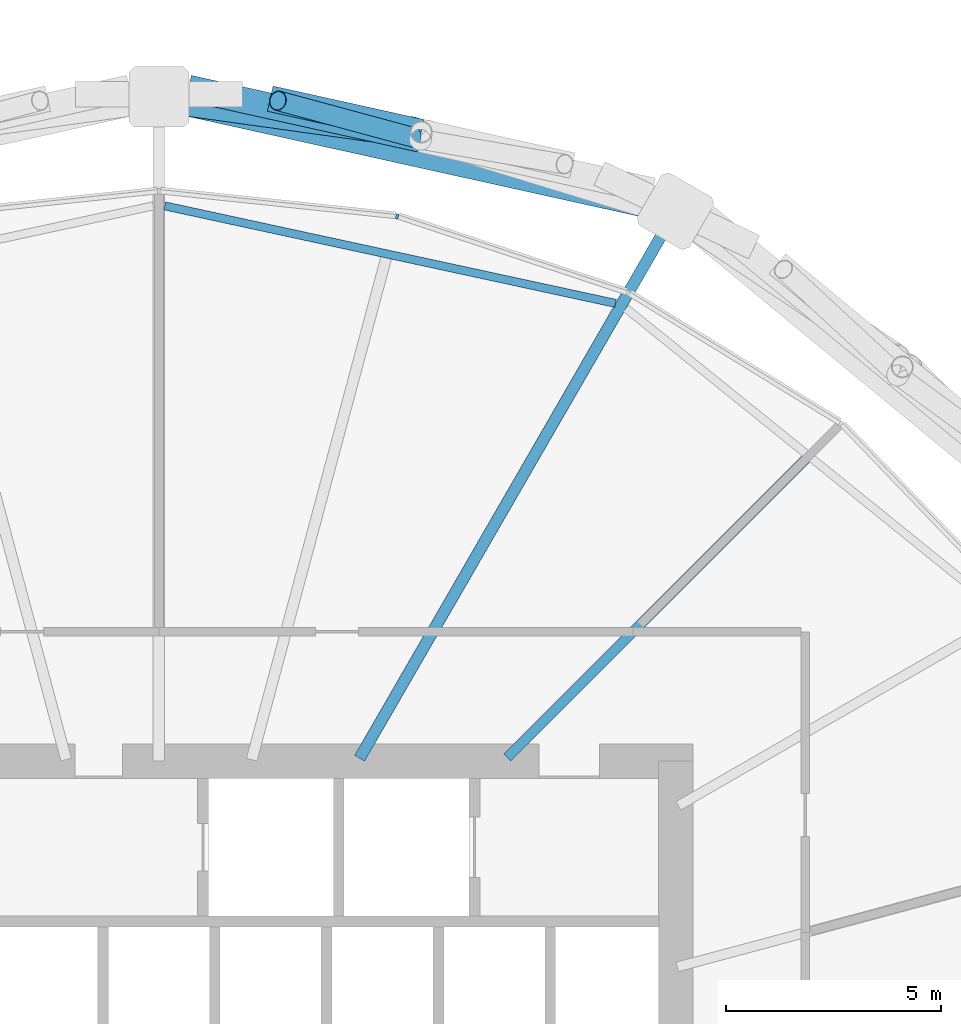
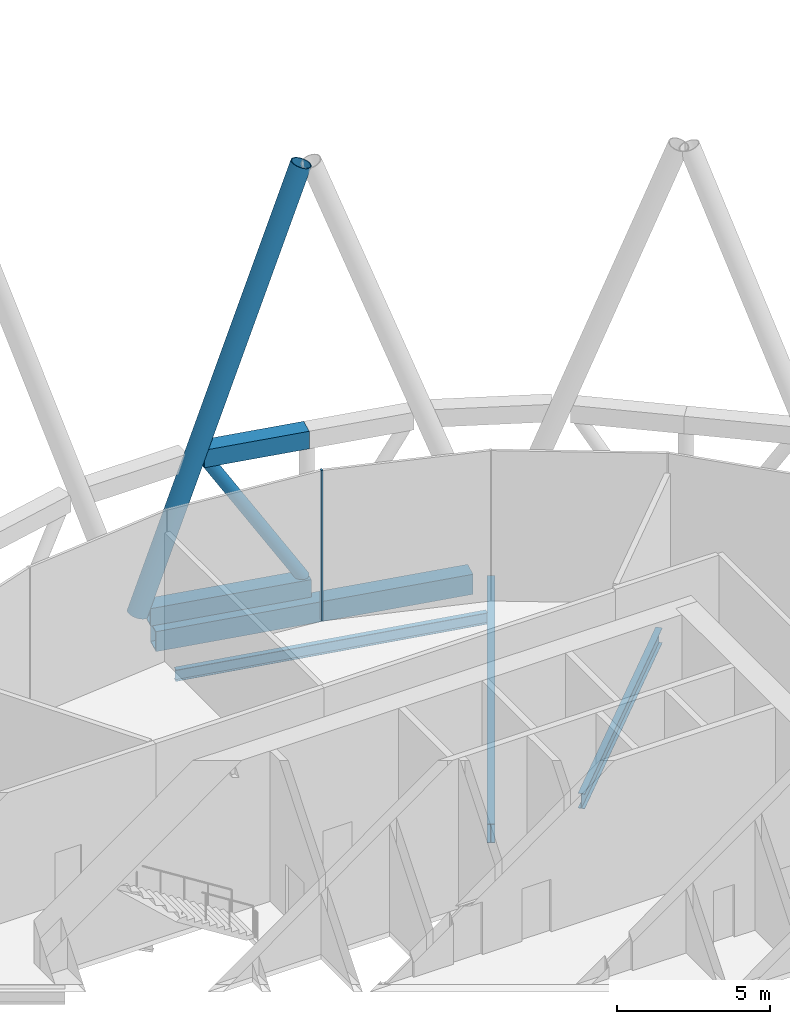
# One storey, part 13 of 33: 5 members, 4 beams, 1 element without a shape of its own.
"""IFC4 building model written with IfcOpenShell, lengths in metres."""

from ifc_helpers import new_model, si_unit, direction, frame, origin, origin_2d, place, context, subcontext, project, spatial, rectangle, hollow_rectangle, hollow_circle, i_section, extrude, material, material_profile, profile_set, type_object, element, aggregate, save


model = new_model("IFC4")

# Units and contexts
model_context = context("Model", 3, precision=1e-05, world=origin(), true_north=direction((0.0, 1.0)))
body_context = subcontext(model_context, "Body", "Model", "MODEL_VIEW")
ifc_project = project(units=[si_unit("LENGTHUNIT", "METRE"), si_unit("AREAUNIT", "SQUARE_METRE"), si_unit("VOLUMEUNIT", "CUBIC_METRE"), si_unit("PLANEANGLEUNIT", "RADIAN"), si_unit("MASSUNIT", "GRAM", prefix="KILO")], contexts=[model_context])

# Site, building, storey
site_placement = place(None, origin())
site = spatial("IfcSite", under=ifc_project, at=site_placement, CompositionType="ELEMENT")
building_placement = place(site_placement, origin())
building = spatial("IfcBuilding", under=site, at=building_placement, Name="Rimbun Link Towers", CompositionType="ELEMENT")
storey_placement = place(building_placement, frame((0.0, 0.0, 75.60009765625)))
storey = spatial("IfcBuildingStorey", under=building, at=storey_placement, Name="L18", CompositionType="ELEMENT", Elevation=75.60009765625)

# Members
ifc_material_1 = material(Name="Steel S460N", Category="steel")
ifc_material_profile_1 = material_profile(ifc_material_1, hollow_rectangle(XDim=0.60009765625, YDim=0.699951171875, WallThickness=0.034912109375, at=origin_2d()), Name="Belt truss chord BOX 600x700x35")
ifc_profile_set_1 = profile_set([ifc_material_profile_1], Name="Steel S460N")
member_type_1 = type_object("IfcMemberType", Name="Belt truss chord BOX 600x700x35", PredefinedType="CHORD", material=ifc_profile_set_1)
member_1_placement = place(storey_placement, frame((-25.680908203125, 22.4306640625, 0.18994140625), z_axis=(-0.976355546465, 0.216170874279, 0.0), x_axis=(-0.216170874279, -0.976355546465, 0.0)))
element("IfcMember", 1, at=member_1_placement, inside=storey, type_object=member_type_1, Name="Belt truss chord T1 L18 bottom 05", PredefinedType="CHORD", context=body_context, shape_type="SweptSolid", body=[
    extrude(hollow_rectangle(XDim=0.60009765625, YDim=0.699951171875, WallThickness=0.034912109375, at=origin_2d()), origin(), (0.0, 0.0, 1.0), 5.513671875),
])
member_2_placement = place(storey_placement, frame((-25.661865234375, 22.59814453125, 6.0), z_axis=(-0.97635312836, 0.216181795584, 0.0), x_axis=(-0.216181795584, -0.97635312836, 0.0)))
element("IfcMember", 2, at=member_2_placement, inside=storey, type_object=member_type_1, Name="Belt truss chord T1 L18 top 17", PredefinedType="CHORD", context=body_context, shape_type="SweptSolid", body=[
    extrude(hollow_rectangle(XDim=0.60009765625, YDim=0.699951171875, WallThickness=0.034912109375, at=origin_2d()), origin(), (0.0, 0.0, 1.0), 3.59130859375),
])
ifc_material_2 = material(Name="Steel S355J2H", Category="steel")
ifc_material_profile_2 = material_profile(ifc_material_2, hollow_circle(Radius=0.228515625, WallThickness=0.01611328125, at=origin_2d()), Name="Belt truss diagonal CHS 457x16")
ifc_profile_set_2 = profile_set([ifc_material_profile_2], Name="Steel S355J2H")
member_type_2 = type_object("IfcMemberType", Name="Belt truss diagonal CHS 457x16", PredefinedType="BRACE", material=ifc_profile_set_2)
member_3_placement = place(storey_placement, frame((-25.859375, 22.47900390625, 0.487060546875), z_axis=(-0.509700273866, 0.137939475145, 0.849222192372), x_axis=(-0.261231358377, -0.965276218189, 0.0)))
element("IfcMember", 3, at=member_3_placement, inside=storey, type_object=member_type_2, Name="Belt truss diagonal T1 L18 05", PredefinedType="BRACE", context=body_context, shape_type="SweptSolid", body=[
    extrude(hollow_circle(Radius=0.228515625, WallThickness=0.01611328125, at=origin_2d()), origin(), (0.0, 0.0, 1.0), 6.1416015625),
])

# Curtain wall, member
ifc_material_3 = material(Name="Aluminium 6063-T6 louvre wall", Category="aluminium")
curtain_wall_type = type_object("IfcCurtainWallType", Name="CW6 plant floor louvre wall", PredefinedType="NOTDEFINED", material=ifc_material_3)
curtain_wall_placement = place(storey_placement, origin())
curtain_wall = element("IfcCurtainWall", 4, at=curtain_wall_placement, inside=storey, type_object=curtain_wall_type, Name="CW6 L18 T1", PredefinedType="NOTDEFINED")
ifc_material_4 = material(Name="Aluminium 6063-T6", Category="aluminium")
ifc_material_profile_3 = material_profile(ifc_material_4, rectangle(XDim=0.1201171875, YDim=0.06005859375, at=origin_2d()), Name="MULLION 60X120")
ifc_profile_set_3 = profile_set([ifc_material_profile_3], Name="Aluminium 6063-T6")
member_type_3 = type_object("IfcMemberType", Name="CW6 mullion 60X120", PredefinedType="MULLION", material=ifc_profile_set_3)
member_4_placement = place(storey_placement, frame((-26.221435546875, 20.643798828125, 0.0), z_axis=(0.0, 0.0, 1.0), x_axis=(0.210874413841, 0.977513161848, 0.0)))
member_4 = element("IfcMember", 5, at=member_4_placement, type_object=member_type_3, Name="CW6 mullion", PredefinedType="MULLION", context=body_context, shape_type="SweptSolid", body=[
    extrude(rectangle(XDim=0.1201171875, YDim=0.06005859375, at=origin_2d()), origin(), (0.0, 0.0, 1.0), 6.0),
])
aggregate(curtain_wall, [member_4])

# Member
ifc_material_5 = material(Name="Steel S460NH", Category="steel")
ifc_material_profile_4 = material_profile(ifc_material_5, hollow_circle(Radius=0.355712890625, WallThickness=0.031982421875, at=origin_2d()), Name="Diagrid diagonal CHS 711x32")
ifc_profile_set_4 = profile_set([ifc_material_profile_4], Name="Steel S460NH")
member_type_4 = type_object("IfcMemberType", Name="Diagrid diagonal CHS 711x32", PredefinedType="BRACE", material=ifc_profile_set_4)
member_5_placement = place(storey_placement, frame((-31.5859375, 23.393310546875, 0.4716796875), z_axis=(0.328021462775, -0.045634360459, 0.943567392985), x_axis=(0.137792985348, 0.990461050819, 0.0)))
element("IfcMember", 6, at=member_5_placement, inside=storey, type_object=member_type_4, Name="Diagrid diagonal T1 L18-L22 06a", PredefinedType="BRACE", context=body_context, shape_type="SweptSolid", body=[
    extrude(hollow_circle(Radius=0.355712890625, WallThickness=0.031982421875, at=origin_2d()), origin(), (0.0, 0.0, 1.0), 17.440673828125),
])

# Beams
ifc_material_6 = material(Name="Steel S355J2", Category="steel")
ifc_material_profile_5 = material_profile(ifc_material_6, hollow_rectangle(XDim=0.60009765625, YDim=0.800048828125, WallThickness=0.0400390625, at=origin_2d()), Name="Exoskeleton ring girder BOX 600x800x40")
ifc_profile_set_5 = profile_set([ifc_material_profile_5], Name="Steel S355J2")
beam_type_1 = type_object("IfcBeamType", Name="Exoskeleton ring girder BOX 600x800x40", PredefinedType="BEAM", material=ifc_profile_set_5)
beam_1_placement = place(storey_placement, frame((-20.446533203125, 20.913330078125, -0.56005859375), z_axis=(-0.976356287658, 0.216167526585, 0.0), x_axis=(-0.216167526585, -0.976356287658, 0.0)))
element("IfcBeam", 7, at=beam_1_placement, inside=storey, type_object=beam_type_1, Name="Exoskeleton ring girder L18 02", PredefinedType="BEAM", context=body_context, shape_type="SweptSolid", body=[
    extrude(hollow_rectangle(XDim=0.60009765625, YDim=0.800048828125, WallThickness=0.0400390625, at=origin_2d()), origin(), (0.0, 0.0, 1.0), 10.877197265625),
])
ifc_material_7 = material(Name="Steel S355J2", Category="steel")
ifc_material_profile_6 = material_profile(ifc_material_7, i_section(OverallWidth=0.18994140625, OverallDepth=0.453369140625, WebThickness=0.008544921875, FlangeThickness=0.0126953125, at=origin_2d()), Name="UB 457x191x67")
ifc_profile_set_6 = profile_set([ifc_material_profile_6], Name="Steel S355J2")
beam_type_2 = type_object("IfcBeamType", Name="UB 457x191x67", PredefinedType="BEAM", material=ifc_profile_set_6)
beam_2_placement = place(storey_placement, frame((-21.153564453125, 18.6220703125, -0.4267578125), z_axis=(-0.977388310201, 0.211452337616, 0.0), x_axis=(-0.211452337616, -0.977388310201, 0.0)))
element("IfcBeam", 8, at=beam_2_placement, inside=storey, type_object=beam_type_2, Name="Edge beam T1 L18 04-06", PredefinedType="BEAM", context=body_context, shape_type="SweptSolid", body=[
    extrude(i_section(OverallWidth=0.18994140625, OverallDepth=0.453369140625, WebThickness=0.008544921875, FlangeThickness=0.0126953125, at=origin_2d()), origin(), (0.0, 0.0, 1.0), 10.7041015625),
])
ifc_material_8 = material(Name="Steel S355J2", Category="steel")
ifc_material_profile_7 = material_profile(ifc_material_8, i_section(OverallWidth=0.2275390625, OverallDepth=0.6025390625, WebThickness=0.010498046875, FlangeThickness=0.014892578125, at=origin_2d()), Name="UB 610x229x101")
ifc_profile_set_7 = profile_set([ifc_material_profile_7], Name="Steel S355J2")
beam_type_3 = type_object("IfcBeamType", Name="UB 610x229x101", PredefinedType="BEAM", material=ifc_profile_set_7)
beam_3_placement = place(storey_placement, frame((-23.668701171875, 8.081298828125, -0.50146484375), z_axis=(0.707106781187, 0.707106781187, 0.0), x_axis=(-0.707106781187, 0.707106781187, 0.0)))
element("IfcBeam", 9, at=beam_3_placement, inside=storey, type_object=beam_type_3, Name="Radial beam T1 L18 03", PredefinedType="BEAM", context=body_context, shape_type="SweptSolid", body=[
    extrude(i_section(OverallWidth=0.2275390625, OverallDepth=0.6025390625, WebThickness=0.010498046875, FlangeThickness=0.014892578125, at=origin_2d()), origin(), (0.0, 0.0, 1.0), 9.80322265625),
])
ifc_material_9 = material(Name="Steel S355J2", Category="steel")
ifc_material_profile_8 = material_profile(ifc_material_9, i_section(OverallWidth=0.2666015625, OverallDepth=0.76220703125, WebThickness=0.014404296875, FlangeThickness=0.021484375, at=origin_2d()), Name="UB 762x267x173")
ifc_profile_set_8 = profile_set([ifc_material_profile_8], Name="Steel S355J2")
beam_type_4 = type_object("IfcBeamType", Name="UB 762x267x173", PredefinedType="BEAM", material=ifc_profile_set_8)
beam_4_placement = place(storey_placement, frame((-27.09228515625, 8.0673828125, -0.581298828125), z_axis=(0.499989137667, 0.866031675065, 0.0), x_axis=(-0.866031675065, 0.499989137667, 0.0)))
element("IfcBeam", 10, at=beam_4_placement, inside=storey, type_object=beam_type_4, Name="Radial beam T1 L18 04", PredefinedType="BEAM", context=body_context, shape_type="SweptSolid", body=[
    extrude(i_section(OverallWidth=0.2666015625, OverallDepth=0.76220703125, WebThickness=0.014404296875, FlangeThickness=0.021484375, at=origin_2d()), origin(), (0.0, 0.0, 1.0), 14.158447265625),
])

save(model, "model.ifc")
